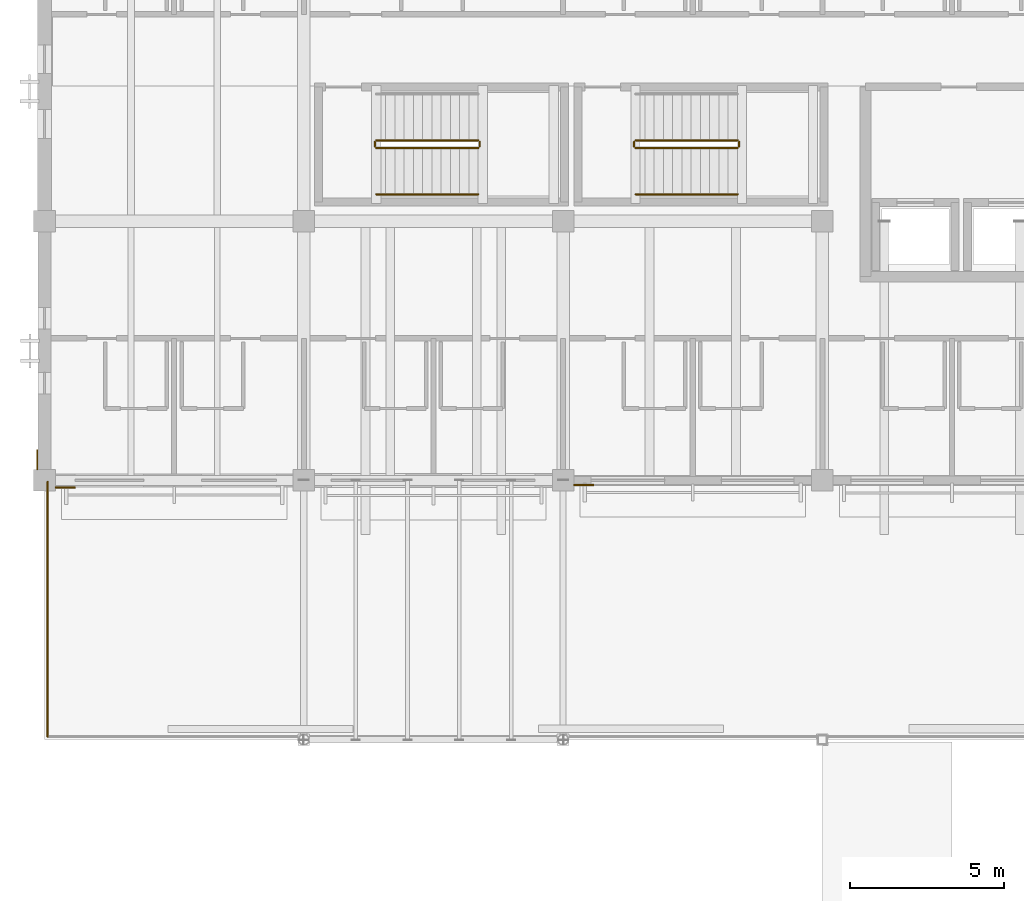
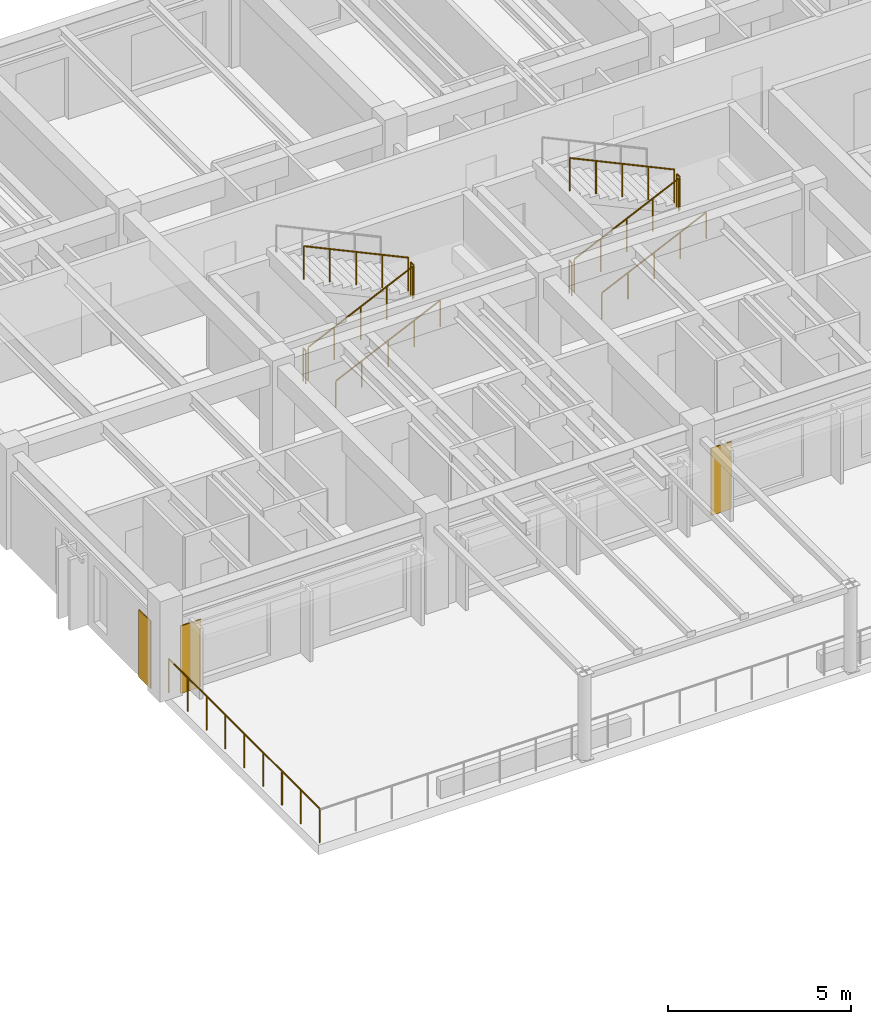
# One storey, part 106 of 111: 11 railings, 3 coverings.
"""IFC4 building model written with IfcOpenShell, lengths in metres."""

from ifc_helpers import new_model, si_unit, direction, frame, origin, origin_2d, place, context, subcontext, project, spatial, polyline, circle, outline, extrude, material, layer, layer_set, type_object, element, save


model = new_model("IFC4")

# Units and contexts
model_context = context("Model", 3, precision=1e-05, world=origin(), true_north=direction((0.0, 1.0)))
body_context = subcontext(model_context, "Body", "Model", "MODEL_VIEW")
ifc_project = project(units=[si_unit("LENGTHUNIT", "METRE"), si_unit("AREAUNIT", "SQUARE_METRE"), si_unit("VOLUMEUNIT", "CUBIC_METRE"), si_unit("PLANEANGLEUNIT", "RADIAN"), si_unit("MASSUNIT", "GRAM", prefix="KILO")], contexts=[model_context])

# Site, building, storey
site_placement = place(None, origin())
site = spatial("IfcSite", under=ifc_project, at=site_placement, CompositionType="ELEMENT")
building_placement = place(site_placement, origin())
building = spatial("IfcBuilding", under=site, at=building_placement, Name="Cumbredor Promenade Congress Hotel", CompositionType="ELEMENT")
storey_placement = place(building_placement, frame((0.0, 0.0, 15.1201171875)))
storey = spatial("IfcBuildingStorey", under=building, at=storey_placement, Name="L04", CompositionType="ELEMENT", Elevation=15.1201171875)

# Covering
ifc_material_1 = material(Name="Precast concrete C40/50", Category="concrete")
ifc_layer_1 = layer(ifc_material_1, 0.044921875, Name="Precast concrete C40/50", Category="concrete")
ifc_layer_set_1 = layer_set([ifc_layer_1], Name="Precast concrete C40/50")
covering_type_1 = type_object("IfcCoveringType", Name="Board-Formed Architectural Cladding Panel 45mm", PredefinedType="CLADDING", material=ifc_layer_set_1)
covering_1_placement = place(storey_placement, origin())
element("IfcCovering", 1, at=covering_1_placement, inside=storey, type_object=covering_type_1, Name="L04 Facade Stone Cladding Pier 174", PredefinedType="CLADDING", context=body_context, shape_type="SweptSolid", body=[
    extrude(outline(polyline([(0.35107421875, 92.1875), (1.0009765625, 92.1875), (1.0009765625, 92.142578125), (0.35107421875, 92.142578125), (0.35107421875, 92.1875)])), origin(), (0.0, 0.0, 1.0), 2.25),
])

# Railings
ifc_material_2 = material(Name="Brushed stainless steel", Category="steel")
railing_type_1 = type_object("IfcRailingType", Name="Interior Void & Stair Guardrail GR-1100", PredefinedType="GUARDRAIL", material=ifc_material_2)
railing_1_placement = place(storey_placement, frame((10.75, 103.169921875, 0.139892578125)))
element("IfcRailing", 2, at=railing_1_placement, inside=storey, type_object=railing_type_1, Name="L04 ST-01 stair guard 1", PredefinedType="GUARDRAIL", context=body_context, shape_type="SweptSolid", body=[
    extrude(circle(Radius=0.02392578125, at=origin_2d()), frame((0.0, 0.0, 1.09619140625), z_axis=(0.906181427284, 0.0, 0.422889135408), x_axis=(0.0, 1.0, 0.0)), (0.0, 0.0, 1.0), 3.6416015625),
    extrude(circle(Radius=0.02099609375, at=origin_2d()), origin(), (0.0, 0.0, 1.0), 1.072021484375),
    extrude(circle(Radius=0.02099609375, at=origin_2d()), frame((0.824951171875, 0.0, 0.385009765625)), (0.0, 0.0, 1.0), 1.072021484375),
    extrude(circle(Radius=0.02099609375, at=origin_2d()), frame((1.64990234375, 0.0, 0.77001953125)), (0.0, 0.0, 1.0), 1.072021484375),
    extrude(circle(Radius=0.02099609375, at=origin_2d()), frame((2.47509765625, 0.0, 1.155029296875)), (0.0, 0.0, 1.0), 1.072021484375),
    extrude(circle(Radius=0.02099609375, at=origin_2d()), frame((3.300048828125, 0.0, 1.5400390625)), (0.0, 0.0, 1.0), 1.072021484375),
])
railing_2_placement = place(storey_placement, frame((14.10009765625, 103.219970703125, 1.679931640625)))
element("IfcRailing", 3, at=railing_2_placement, inside=storey, type_object=railing_type_1, Name="L04 ST-01 stair guard 2", PredefinedType="GUARDRAIL", context=body_context, shape_type="SweptSolid", body=[
    extrude(circle(Radius=0.02392578125, at=origin_2d()), frame((0.0, 0.0, 1.09619140625), z_axis=(0.0, 1.0, 0.0), x_axis=(-1.0, 0.0, 0.0)), (0.0, 0.0, 1.0), 0.150146484375),
    extrude(circle(Radius=0.02099609375, at=origin_2d()), origin(), (0.0, 0.0, 1.0), 1.072021484375),
    extrude(circle(Radius=0.02099609375, at=origin_2d()), frame((0.0, 0.150146484375, 0.0)), (0.0, 0.0, 1.0), 1.072021484375),
])
railing_3_placement = place(storey_placement, frame((14.050048828125, 103.419921875, 1.81982421875)))
element("IfcRailing", 4, at=railing_3_placement, inside=storey, type_object=railing_type_1, Name="L04 ST-01 stair guard 3", PredefinedType="GUARDRAIL", context=body_context, shape_type="SweptSolid", body=[
    extrude(circle(Radius=0.02392578125, at=origin_2d()), frame((0.0, 0.0, 1.09619140625), z_axis=(-0.906181427284, 0.0, 0.422889135408), x_axis=(0.0, -1.0, 0.0)), (0.0, 0.0, 1.0), 3.6416015625),
    extrude(circle(Radius=0.02099609375, at=origin_2d()), origin(), (0.0, 0.0, 1.0), 1.072021484375),
    extrude(circle(Radius=0.02099609375, at=origin_2d()), frame((-0.824951171875, 0.0, 0.385009765625)), (0.0, 0.0, 1.0), 1.072021484375),
    extrude(circle(Radius=0.02099609375, at=origin_2d()), frame((-1.64990234375, 0.0, 0.77001953125)), (0.0, 0.0, 1.0), 1.072021484375),
    extrude(circle(Radius=0.02099609375, at=origin_2d()), frame((-2.47509765625, 0.0, 1.155029296875)), (0.0, 0.0, 1.0), 1.072021484375),
    extrude(circle(Radius=0.02099609375, at=origin_2d()), frame((-3.300048828125, 0.0, 1.5400390625)), (0.0, 0.0, 1.0), 1.072021484375),
])
railing_4_placement = place(storey_placement, frame((10.699951171875, 103.219970703125, 0.0)))
element("IfcRailing", 5, at=railing_4_placement, inside=storey, type_object=railing_type_1, Name="L04 ST-01 stair guard 4", PredefinedType="GUARDRAIL", context=body_context, shape_type="SweptSolid", body=[
    extrude(circle(Radius=0.02392578125, at=origin_2d()), frame((0.0, 0.0, 1.09619140625), z_axis=(0.0, 1.0, 0.0), x_axis=(-1.0, 0.0, 0.0)), (0.0, 0.0, 1.0), 0.150146484375),
    extrude(circle(Radius=0.02099609375, at=origin_2d()), origin(), (0.0, 0.0, 1.0), 1.072021484375),
    extrude(circle(Radius=0.02099609375, at=origin_2d()), frame((0.0, 0.150146484375, 0.0)), (0.0, 0.0, 1.0), 1.072021484375),
])
railing_5_placement = place(storey_placement, frame((19.14990234375, 103.169921875, 0.139892578125)))
element("IfcRailing", 6, at=railing_5_placement, inside=storey, type_object=railing_type_1, Name="L04 ST-02 stair guard 1", PredefinedType="GUARDRAIL", context=body_context, shape_type="SweptSolid", body=[
    extrude(circle(Radius=0.02392578125, at=origin_2d()), frame((0.0, 0.0, 1.09619140625), z_axis=(0.906181427284, 0.0, 0.422889135408), x_axis=(0.0, 1.0, 0.0)), (0.0, 0.0, 1.0), 3.6416015625),
    extrude(circle(Radius=0.02099609375, at=origin_2d()), origin(), (0.0, 0.0, 1.0), 1.072021484375),
    extrude(circle(Radius=0.02099609375, at=origin_2d()), frame((0.824951171875, 0.0, 0.385009765625)), (0.0, 0.0, 1.0), 1.072021484375),
    extrude(circle(Radius=0.02099609375, at=origin_2d()), frame((1.64990234375, 0.0, 0.77001953125)), (0.0, 0.0, 1.0), 1.072021484375),
    extrude(circle(Radius=0.02099609375, at=origin_2d()), frame((2.47509765625, 0.0, 1.155029296875)), (0.0, 0.0, 1.0), 1.072021484375),
    extrude(circle(Radius=0.02099609375, at=origin_2d()), frame((3.300048828125, 0.0, 1.5400390625)), (0.0, 0.0, 1.0), 1.072021484375),
])
railing_6_placement = place(storey_placement, frame((22.5, 103.219970703125, 1.679931640625)))
element("IfcRailing", 7, at=railing_6_placement, inside=storey, type_object=railing_type_1, Name="L04 ST-02 stair guard 2", PredefinedType="GUARDRAIL", context=body_context, shape_type="SweptSolid", body=[
    extrude(circle(Radius=0.02392578125, at=origin_2d()), frame((0.0, 0.0, 1.09619140625), z_axis=(0.0, 1.0, 0.0), x_axis=(-1.0, 0.0, 0.0)), (0.0, 0.0, 1.0), 0.150146484375),
    extrude(circle(Radius=0.02099609375, at=origin_2d()), origin(), (0.0, 0.0, 1.0), 1.072021484375),
    extrude(circle(Radius=0.02099609375, at=origin_2d()), frame((0.0, 0.150146484375, 0.0)), (0.0, 0.0, 1.0), 1.072021484375),
])
railing_7_placement = place(storey_placement, frame((22.449951171875, 103.419921875, 1.81982421875)))
element("IfcRailing", 8, at=railing_7_placement, inside=storey, type_object=railing_type_1, Name="L04 ST-02 stair guard 3", PredefinedType="GUARDRAIL", context=body_context, shape_type="SweptSolid", body=[
    extrude(circle(Radius=0.02392578125, at=origin_2d()), frame((0.0, 0.0, 1.09619140625), z_axis=(-0.906181427284, 0.0, 0.422889135408), x_axis=(0.0, -1.0, 0.0)), (0.0, 0.0, 1.0), 3.6416015625),
    extrude(circle(Radius=0.02099609375, at=origin_2d()), origin(), (0.0, 0.0, 1.0), 1.072021484375),
    extrude(circle(Radius=0.02099609375, at=origin_2d()), frame((-0.824951171875, 0.0, 0.385009765625)), (0.0, 0.0, 1.0), 1.072021484375),
    extrude(circle(Radius=0.02099609375, at=origin_2d()), frame((-1.64990234375, 0.0, 0.77001953125)), (0.0, 0.0, 1.0), 1.072021484375),
    extrude(circle(Radius=0.02099609375, at=origin_2d()), frame((-2.47509765625, 0.0, 1.155029296875)), (0.0, 0.0, 1.0), 1.072021484375),
    extrude(circle(Radius=0.02099609375, at=origin_2d()), frame((-3.300048828125, 0.0, 1.5400390625)), (0.0, 0.0, 1.0), 1.072021484375),
])
railing_8_placement = place(storey_placement, frame((19.10009765625, 103.219970703125, 0.0)))
element("IfcRailing", 9, at=railing_8_placement, inside=storey, type_object=railing_type_1, Name="L04 ST-02 stair guard 4", PredefinedType="GUARDRAIL", context=body_context, shape_type="SweptSolid", body=[
    extrude(circle(Radius=0.02392578125, at=origin_2d()), frame((0.0, 0.0, 1.09619140625), z_axis=(0.0, 1.0, 0.0), x_axis=(-1.0, 0.0, 0.0)), (0.0, 0.0, 1.0), 0.150146484375),
    extrude(circle(Radius=0.02099609375, at=origin_2d()), origin(), (0.0, 0.0, 1.0), 1.072021484375),
    extrude(circle(Radius=0.02099609375, at=origin_2d()), frame((0.0, 0.150146484375, 0.0)), (0.0, 0.0, 1.0), 1.072021484375),
])
railing_type_2 = type_object("IfcRailingType", Name="Sky Garden Glass-and-Steel Balustrade BAL-1150", PredefinedType="BALUSTRADE", material=ifc_material_2)
railing_9_placement = place(storey_placement, frame((0.10009765625, 84.10009765625, 0.0)))
element("IfcRailing", 10, at=railing_9_placement, inside=storey, type_object=railing_type_2, Name="L04 Hotel Podium South Sky Garden Terrace Balustrade 64", PredefinedType="BALUSTRADE", context=body_context, shape_type="SweptSolid", body=[
    extrude(circle(Radius=0.02392578125, at=origin_2d()), frame((0.0, 0.0, 1.1259765625), z_axis=(0.0, 1.0, 0.0), x_axis=(-1.0, 0.0, 0.0)), (0.0, 0.0, 1.0), 8.25),
    extrude(circle(Radius=0.02099609375, at=origin_2d()), origin(), (0.0, 0.0, 1.0), 1.101806640625),
    extrude(circle(Radius=0.02099609375, at=origin_2d()), frame((0.0, 1.03125, 0.0)), (0.0, 0.0, 1.0), 1.101806640625),
    extrude(circle(Radius=0.02099609375, at=origin_2d()), frame((0.0, 2.0625, 0.0)), (0.0, 0.0, 1.0), 1.101806640625),
    extrude(circle(Radius=0.02099609375, at=origin_2d()), frame((0.0, 3.09375, 0.0)), (0.0, 0.0, 1.0), 1.101806640625),
    extrude(circle(Radius=0.02099609375, at=origin_2d()), frame((0.0, 4.125, 0.0)), (0.0, 0.0, 1.0), 1.101806640625),
    extrude(circle(Radius=0.02099609375, at=origin_2d()), frame((0.0, 5.15625, 0.0)), (0.0, 0.0, 1.0), 1.101806640625),
    extrude(circle(Radius=0.02099609375, at=origin_2d()), frame((0.0, 6.1875, 0.0)), (0.0, 0.0, 1.0), 1.101806640625),
    extrude(circle(Radius=0.02099609375, at=origin_2d()), frame((0.0, 7.21875, 0.0)), (0.0, 0.0, 1.0), 1.101806640625),
    extrude(circle(Radius=0.02099609375, at=origin_2d()), frame((0.0, 8.25, 0.0)), (0.0, 0.0, 1.0), 1.101806640625),
])
railing_type_3 = type_object("IfcRailingType", Name="Stair Pitch Handrail HR-900", PredefinedType="HANDRAIL", material=ifc_material_2)
for number, where, name in (
    (11, (10.75, 101.669921875, 0.139892578125), "L04 ST-01 stair handrail 1"),
    (12, (19.14990234375, 101.669921875, 0.139892578125), "L04 ST-02 stair handrail 1"),
):
    element("IfcRailing", number, at=place(storey_placement, frame(where)), inside=storey, type_object=railing_type_3, Name=name, PredefinedType="HANDRAIL", context=body_context, shape_type="SweptSolid", body=[
        extrude(circle(Radius=0.02392578125, at=origin_2d()), frame((0.0, 0.0, 0.8759765625), z_axis=(0.906181427284, 0.0, 0.422889135408), x_axis=(0.0, 1.0, 0.0)), (0.0, 0.0, 1.0), 3.6416015625),
        extrude(circle(Radius=0.02099609375, at=origin_2d()), origin(), (0.0, 0.0, 1.0), 0.851806640625),
        extrude(circle(Radius=0.02099609375, at=origin_2d()), frame((0.824951171875, 0.0, 0.385009765625)), (0.0, 0.0, 1.0), 0.851806640625),
        extrude(circle(Radius=0.02099609375, at=origin_2d()), frame((1.64990234375, 0.0, 0.77001953125)), (0.0, 0.0, 1.0), 0.851806640625),
        extrude(circle(Radius=0.02099609375, at=origin_2d()), frame((2.47509765625, 0.0, 1.155029296875)), (0.0, 0.0, 1.0), 0.851806640625),
        extrude(circle(Radius=0.02099609375, at=origin_2d()), frame((3.300048828125, 0.0, 1.5400390625)), (0.0, 0.0, 1.0), 0.851806640625),
    ])

# Coverings
ifc_material_3 = material(Name="Volcanic andesite ashlar cladding", Category="masonry")
ifc_layer_2 = layer(ifc_material_3, 0.034912109375, Name="Volcanic andesite ashlar cladding", Category="masonry")
ifc_layer_set_2 = layer_set([ifc_layer_2], Name="Volcanic andesite ashlar cladding")
covering_type_2 = type_object("IfcCoveringType", Name="Volcanic Andesite Ashlar Rainscreen Cladding 35mm", PredefinedType="CLADDING", material=ifc_layer_set_2)
covering_2_placement = place(storey_placement, origin())
element("IfcCovering", 13, at=covering_2_placement, inside=storey, type_object=covering_type_2, Name="L04 Facade Stone Cladding Pier 175", PredefinedType="CLADDING", context=body_context, shape_type="SweptSolid", body=[
    extrude(outline(polyline([(17.15087890625, 92.27001953125), (17.801025390625, 92.27001953125), (17.801025390625, 92.235107421875), (17.15087890625, 92.235107421875), (17.15087890625, 92.27001953125)])), origin(), (0.0, 0.0, 1.0), 2.25),
])
covering_3_placement = place(storey_placement, origin())
element("IfcCovering", 14, at=covering_3_placement, inside=storey, type_object=covering_type_2, Name="L04 Facade Stone Cladding Pier 183", PredefinedType="CLADDING", context=body_context, shape_type="SweptSolid", body=[
    extrude(outline(polyline([(-0.21240234375, 92.7509765625), (-0.21240234375, 93.40087890625), (-0.24755859375, 93.40087890625), (-0.24755859375, 92.7509765625), (-0.21240234375, 92.7509765625)])), origin(), (0.0, 0.0, 1.0), 2.25),
])

save(model, "model.ifc")
